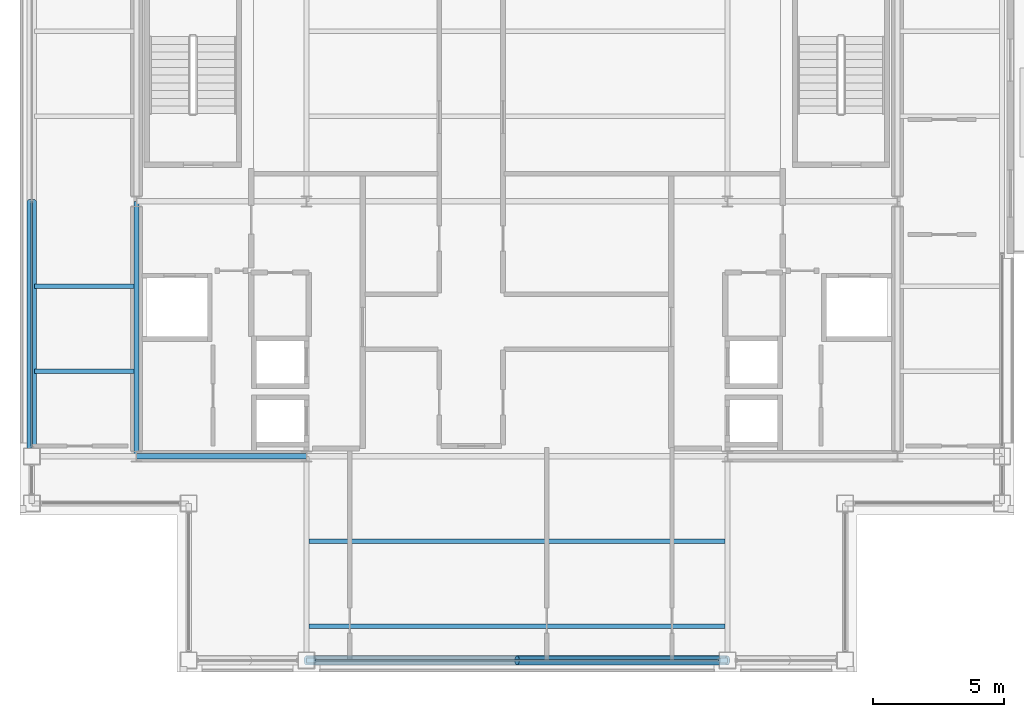
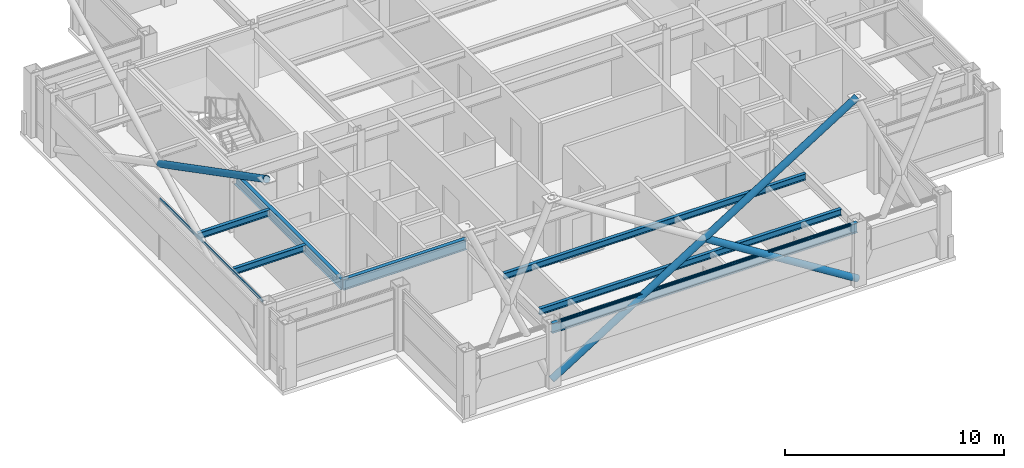
# One storey, part 7 of 30: 7 beams, 5 members, 2 elements without a shape of their own.
"""IFC4 building model written with IfcOpenShell, lengths in metres."""

from ifc_helpers import new_model, si_unit, direction, frame, origin, origin_2d, place, context, subcontext, project, spatial, hollow_rectangle, hollow_circle, i_section, extrude, material, layer, layer_set, material_profile, profile_set, type_object, element, aggregate, save


model = new_model("IFC4")

# Units and contexts
model_context = context("Model", 3, precision=1e-05, world=origin(), true_north=direction((0.0, 1.0)))
body_context = subcontext(model_context, "Body", "Model", "MODEL_VIEW")
ifc_project = project(units=[si_unit("LENGTHUNIT", "METRE"), si_unit("AREAUNIT", "SQUARE_METRE"), si_unit("VOLUMEUNIT", "CUBIC_METRE"), si_unit("PLANEANGLEUNIT", "RADIAN"), si_unit("MASSUNIT", "GRAM", prefix="KILO")], contexts=[model_context])

# Site, building, storey
site_placement = place(None, origin())
site = spatial("IfcSite", under=ifc_project, at=site_placement, CompositionType="ELEMENT")
building_placement = place(site_placement, origin())
building = spatial("IfcBuilding", under=site, at=building_placement, Name="Brelmoor Portico Tower", CompositionType="ELEMENT")
storey_placement = place(building_placement, frame((0.0, 0.0, 236.39990234375)))
storey = spatial("IfcBuildingStorey", under=building, at=storey_placement, Name="L62", CompositionType="ELEMENT", Elevation=236.39990234375)

# Beams
ifc_material_1 = material(Name="Steel Q355B", Category="steel")
ifc_material_profile_1 = material_profile(ifc_material_1, i_section(OverallWidth=0.175048828125, OverallDepth=0.35009765625, WebThickness=0.007080078125, FlangeThickness=0.010986328125, at=origin_2d()), Name="HN 350x175x7x11")
ifc_profile_set_1 = profile_set([ifc_material_profile_1], Name="Steel Q355B")
beam_type_1 = type_object("IfcBeamType", Name="BM-JS-350", PredefinedType="JOIST", material=ifc_profile_set_1)
for number, where, z_axis, x_axis, name in (
    (1, (-7.949951171875, -16.25, 3.22509765625), (1.0, 0.0, 0.0), (0.0, 1.0, 0.0), "L62 Secondary Composite Joist JS-C01"),
    (2, (-7.949951171875, -13.0, 3.22509765625), (1.0, 0.0, 0.0), (0.0, 1.0, 0.0), "L62 Secondary Composite Joist JS-C02"),
):
    element("IfcBeam", number, at=place(storey_placement, frame(where, z_axis=z_axis, x_axis=x_axis)), inside=storey, type_object=beam_type_1, Name=name, PredefinedType="JOIST", context=body_context, shape_type="SweptSolid", body=[
        extrude(i_section(OverallWidth=0.175048828125, OverallDepth=0.35009765625, WebThickness=0.007080078125, FlangeThickness=0.010986328125, at=origin_2d()), origin(), (0.0, 0.0, 1.0), 15.89990234375),
    ])
for number, where, z_axis, x_axis, name in (
    (3, (-18.449951171875, -6.5, 3.22509765625), (1.0, 0.0, 0.0), (0.0, 1.0, 0.0), "L62 Secondary Wing Joist JS-W07"),
    (4, (-18.449951171875, -3.25, 3.22509765625), (1.0, 0.0, 0.0), (0.0, 1.0, 0.0), "L62 Secondary Wing Joist JS-W08"),
):
    element("IfcBeam", number, at=place(storey_placement, frame(where, z_axis=z_axis, x_axis=x_axis)), inside=storey, type_object=beam_type_1, Name=name, PredefinedType="JOIST", context=body_context, shape_type="SweptSolid", body=[
        extrude(i_section(OverallWidth=0.175048828125, OverallDepth=0.35009765625, WebThickness=0.007080078125, FlangeThickness=0.010986328125, at=origin_2d()), origin(), (0.0, 0.0, 1.0), 3.800048828125),
    ])
ifc_material_profile_2 = material_profile(ifc_material_1, i_section(OverallWidth=0.199951171875, OverallDepth=0.60009765625, WebThickness=0.010986328125, FlangeThickness=0.01708984375, at=origin_2d()), Name="HN 600x200x11x17")
ifc_profile_set_2 = profile_set([ifc_material_profile_2], Name="Steel Q355B")
beam_type_2 = type_object("IfcBeamType", Name="BM-PG-600", PredefinedType="BEAM", material=ifc_profile_set_2)
beam_1_placement = place(storey_placement, frame((-14.550048828125, -9.75, 3.10009765625), z_axis=(0.0, 1.0, 0.0), x_axis=(-1.0, 0.0, 0.0)))
element("IfcBeam", 5, at=beam_1_placement, inside=storey, type_object=beam_type_2, Name="L62 Primary Floor Girder PG-01", PredefinedType="BEAM", context=body_context, shape_type="SweptSolid", body=[
    extrude(i_section(OverallWidth=0.199951171875, OverallDepth=0.60009765625, WebThickness=0.010986328125, FlangeThickness=0.01708984375, at=origin_2d()), origin(), (0.0, 0.0, 1.0), 9.75),
])
beam_2_placement = place(storey_placement, frame((-14.550048828125, -9.75, 3.10009765625), z_axis=(1.0, 0.0, 0.0), x_axis=(0.0, 1.0, 0.0)))
element("IfcBeam", 6, at=beam_2_placement, inside=storey, type_object=beam_type_2, Name="L62 Primary Floor Girder PG-12", PredefinedType="BEAM", context=body_context, shape_type="SweptSolid", body=[
    extrude(i_section(OverallWidth=0.199951171875, OverallDepth=0.60009765625, WebThickness=0.010986328125, FlangeThickness=0.01708984375, at=origin_2d()), origin(), (0.0, 0.0, 1.0), 6.5),
])
ifc_material_profile_3 = material_profile(ifc_material_1, i_section(OverallWidth=0.199951171875, OverallDepth=0.550048828125, WebThickness=0.010009765625, FlangeThickness=0.01611328125, at=origin_2d()), Name="HN 550x200x10x16")
ifc_profile_set_3 = profile_set([ifc_material_profile_3], Name="Steel Q355B")
beam_type_3 = type_object("IfcBeamType", Name="BM-SP-550", PredefinedType="SPANDREL", material=ifc_profile_set_3)
beam_3_placement = place(storey_placement, frame((-8.050048828125, -17.550048828125, 3.125), z_axis=(1.0, 0.0, 0.0), x_axis=(0.0, 1.0, 0.0)))
element("IfcBeam", 7, at=beam_3_placement, inside=storey, type_object=beam_type_3, Name="L62 Perimeter Spandrel Beam SP-02", PredefinedType="SPANDREL", context=body_context, shape_type="SweptSolid", body=[
    extrude(i_section(OverallWidth=0.199951171875, OverallDepth=0.550048828125, WebThickness=0.010009765625, FlangeThickness=0.01611328125, at=origin_2d()), origin(), (0.0, 0.0, 1.0), 16.10009765625),
])

# Members
ifc_material_profile_4 = material_profile(ifc_material_1, hollow_circle(Radius=0.177978515625, WallThickness=0.01611328125, at=origin_2d()), Name="CHS 356x16")
ifc_profile_set_4 = profile_set([ifc_material_profile_4], Name="Steel Q355B")
member_type_1 = type_object("IfcMemberType", Name="MB-BELT-DIAG2", PredefinedType="BRACE", material=ifc_profile_set_4)
member_1_placement = place(storey_placement, frame((-8.050048828125, -17.550048828125, 0.25), z_axis=(0.847109476093, 0.0, 0.531418418493), x_axis=(0.0, 1.0, 0.0)))
element("IfcMember", 8, at=member_1_placement, inside=storey, type_object=member_type_1, Name="L62 Continuous Mega-X Brace 140A", PredefinedType="BRACE", context=body_context, shape_type="SweptSolid", body=[
    extrude(hollow_circle(Radius=0.177978515625, WallThickness=0.01611328125, at=origin_2d()), origin(), (0.0, 0.0, 1.0), 19.005859375),
])
member_2_placement = place(storey_placement, frame((8.050048828125, -17.550048828125, 0.25), z_axis=(-0.847109476093, 0.0, 0.531418418493), x_axis=(0.0, -1.0, 0.0)))
element("IfcMember", 9, at=member_2_placement, inside=storey, type_object=member_type_1, Name="L62 Split Mega-X Brace 140B1", PredefinedType="BRACE", context=body_context, shape_type="SweptSolid", body=[
    extrude(hollow_circle(Radius=0.177978515625, WallThickness=0.01611328125, at=origin_2d()), origin(), (0.0, 0.0, 1.0), 9.5029296875),
])
member_3_placement = place(storey_placement, frame((-18.550048828125, 0.0, 5.300048828125), z_axis=(0.0, -0.887959386012, 0.459921872488), x_axis=(1.0, 0.0, 0.0)))
element("IfcMember", 10, at=member_3_placement, inside=storey, type_object=member_type_1, Name="L62 Split Mega-X Brace 144B2", PredefinedType="BRACE", context=body_context, shape_type="SweptSolid", body=[
    extrude(hollow_circle(Radius=0.177978515625, WallThickness=0.01611328125, at=origin_2d()), origin(), (0.0, 0.0, 1.0), 10.980224609375),
])

# Curtain wall, member
ifc_material_2 = material(Name="Anodised Aluminium Alloy 6063-T6", Category="aluminium")
ifc_layer = layer(ifc_material_2, 0.179931640625)
ifc_layer_set = layer_set([ifc_layer], Name="Anodised Aluminium Alloy 6063-T6")
curtain_wall_type = type_object("IfcCurtainWallType", Name="CW-TOWER-Z4-XB", PredefinedType="NOTDEFINED", material=ifc_layer_set)
curtain_wall_1_placement = place(storey_placement, origin())
curtain_wall_1 = element("IfcCurtainWall", 11, at=curtain_wall_1_placement, inside=storey, type_object=curtain_wall_type, Name="L62 Curtain Wall CW-L62-01-2", PredefinedType="NOTDEFINED")
ifc_material_profile_5 = material_profile(ifc_material_2, hollow_rectangle(XDim=0.06005859375, YDim=0.125, WallThickness=0.00341796875, at=origin_2d()), Name="ALU TRANSOM 60x125")
ifc_profile_set_5 = profile_set([ifc_material_profile_5], Name="Anodised Aluminium Alloy 6063-T6")
member_type_2 = type_object("IfcMemberType", Name="MB-CW-TRAN-125", PredefinedType="USERDEFINED", material=ifc_profile_set_5)
member_4_placement = place(storey_placement, frame((-7.715087890625, -17.550048828125, 3.337646484375), z_axis=(1.0, 0.0, 0.0), x_axis=(0.0, 1.0, 0.0)))
member_4 = element("IfcMember", 12, at=member_4_placement, type_object=member_type_2, Name="CW-L62-01-2 Transom 1-00", ObjectType="TRANSOM", PredefinedType="USERDEFINED", context=body_context, shape_type="SweptSolid", body=[
    extrude(hollow_rectangle(XDim=0.06005859375, YDim=0.125, WallThickness=0.00341796875, at=origin_2d()), origin(), (0.0, 0.0, 1.0), 15.43017578125),
])
aggregate(curtain_wall_1, [member_4])

curtain_wall_2_placement = place(storey_placement, origin())
curtain_wall_2 = element("IfcCurtainWall", 13, at=curtain_wall_2_placement, inside=storey, type_object=curtain_wall_type, Name="L62 Curtain Wall CW-L62-03-2", PredefinedType="NOTDEFINED")
member_5_placement = place(storey_placement, frame((-18.550048828125, -9.4150390625, 3.337646484375), z_axis=(0.0, 1.0, 0.0), x_axis=(-1.0, 0.0, 0.0)))
member_5 = element("IfcMember", 14, at=member_5_placement, type_object=member_type_2, Name="CW-L62-03-2 Transom 1-00", ObjectType="TRANSOM", PredefinedType="USERDEFINED", context=body_context, shape_type="SweptSolid", body=[
    extrude(hollow_rectangle(XDim=0.06005859375, YDim=0.125, WallThickness=0.00341796875, at=origin_2d()), origin(), (0.0, 0.0, 1.0), 9.4150390625),
])
aggregate(curtain_wall_2, [member_5])

save(model, "model.ifc")
